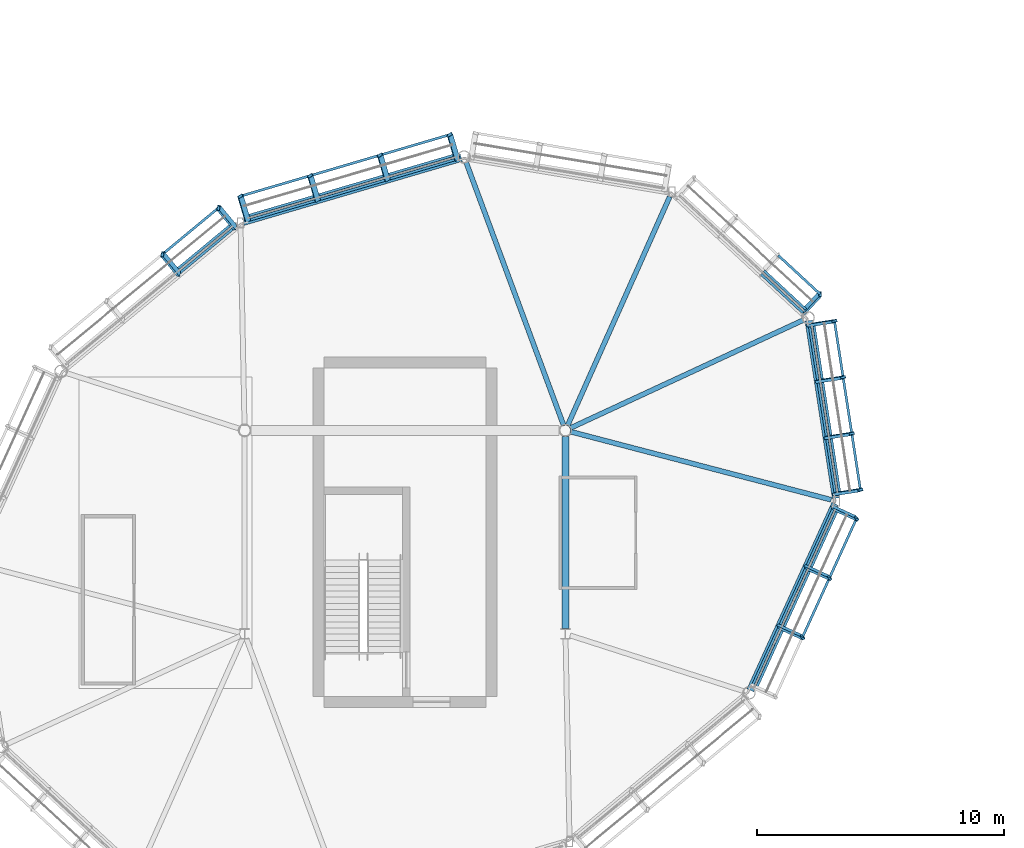
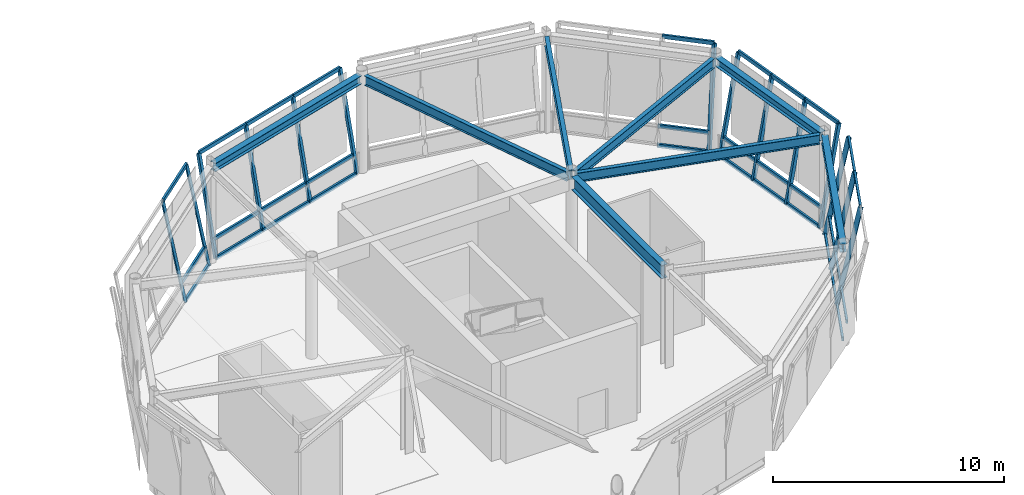
# One storey, part 55 of 90: 46 members, 8 beams, 5 elements without a shape of their own.
"""IFC4 building model written with IfcOpenShell, lengths in metres."""

from ifc_helpers import new_model, si_unit, direction, frame, origin, origin_2d, place, context, subcontext, project, spatial, hollow_rectangle, i_section, extrude, material, material_profile, profile_set, type_object, element, aggregate, save


model = new_model("IFC4")

# Units and contexts
model_context = context("Model", 3, precision=1e-05, world=origin(), true_north=direction((0.0, 1.0)))
body_context = subcontext(model_context, "Body", "Model", "MODEL_VIEW")
ifc_project = project(units=[si_unit("LENGTHUNIT", "METRE"), si_unit("AREAUNIT", "SQUARE_METRE"), si_unit("VOLUMEUNIT", "CUBIC_METRE"), si_unit("PLANEANGLEUNIT", "RADIAN"), si_unit("MASSUNIT", "GRAM", prefix="KILO")], contexts=[model_context])

# Site, building, storey
site_placement = place(None, origin())
site = spatial("IfcSite", under=ifc_project, at=site_placement, CompositionType="ELEMENT")
building_placement = place(site_placement, origin())
building = spatial("IfcBuilding", under=site, at=building_placement, Name="Linyun Crest Stadium", CompositionType="ELEMENT")
storey_placement = place(building_placement, frame((0.0, 0.0, 21.0)))
storey = spatial("IfcBuildingStorey", under=building, at=storey_placement, Name="L05", CompositionType="ELEMENT", Elevation=21.0)

# Beams
ifc_material_1 = material(Name="Steel Q355C", Category="steel")
ifc_material_profile_1 = material_profile(ifc_material_1, i_section(OverallWidth=0.300048828125, OverallDepth=0.43994140625, WebThickness=0.010986328125, FlangeThickness=0.01806640625, at=origin_2d()), Name="HM 440x300")
ifc_profile_set_1 = profile_set([ifc_material_profile_1], Name="Steel Q355C")
beam_type_1 = type_object("IfcBeamType", Name="B07", PredefinedType="BEAM", material=ifc_profile_set_1)
beam_1_placement = place(storey_placement, frame((75.779052734375, 99.7919921875, 4.929931640625), z_axis=(-0.959427571735, -0.281955199623, 0.0), x_axis=(0.281955199623, -0.959427571735, 0.0)))
element("IfcBeam", 1, at=beam_1_placement, inside=storey, type_object=beam_type_1, Name="Pod ring girder B07 L05 149", PredefinedType="BEAM", context=body_context, shape_type="SweptSolid", body=[
    extrude(i_section(OverallWidth=0.300048828125, OverallDepth=0.43994140625, WebThickness=0.010986328125, FlangeThickness=0.01806640625, at=origin_2d()), origin(), (0.0, 0.0, 1.0), 9.203369140625),
])
beam_2_placement = place(storey_placement, frame((87.490966796875, 78.218994140625, 4.929931640625), z_axis=(0.41441702614, 0.910087099373, 0.0), x_axis=(-0.910087099373, 0.41441702614, 0.0)))
element("IfcBeam", 2, at=beam_2_placement, inside=storey, type_object=beam_type_1, Name="Pod ring girder B07 L05 165", PredefinedType="BEAM", context=body_context, shape_type="SweptSolid", body=[
    extrude(i_section(OverallWidth=0.300048828125, OverallDepth=0.43994140625, WebThickness=0.010986328125, FlangeThickness=0.01806640625, at=origin_2d()), origin(), (0.0, 0.0, 1.0), 8.2958984375),
])
beam_3_placement = place(storey_placement, frame((90.9609375, 85.9970703125, 4.929931640625), z_axis=(-0.152213453027, 0.988347643655, 0.0), x_axis=(-0.988347643655, -0.152213453027, 0.0)))
element("IfcBeam", 3, at=beam_3_placement, inside=storey, type_object=beam_type_1, Name="Pod ring girder B07 L05 167", PredefinedType="BEAM", context=body_context, shape_type="SweptSolid", body=[
    extrude(i_section(OverallWidth=0.300048828125, OverallDepth=0.43994140625, WebThickness=0.010986328125, FlangeThickness=0.01806640625, at=origin_2d()), origin(), (0.0, 0.0, 1.0), 7.278564453125),
])
ifc_material_2 = material(Name="Steel Q355C", Category="steel")
ifc_material_profile_2 = material_profile(ifc_material_2, i_section(OverallWidth=0.199951171875, OverallDepth=0.5, WebThickness=0.010009765625, FlangeThickness=0.01611328125, at=origin_2d()), Name="HN 500x200")
ifc_profile_set_2 = profile_set([ifc_material_profile_2], Name="Steel Q355C")
beam_type_2 = type_object("IfcBeamType", Name="B10", PredefinedType="BEAM", material=ifc_profile_set_2)
beam_4_placement = place(storey_placement, frame((80.180908203125, 88.833984375, 4.89990234375), z_axis=(0.907241490816, 0.420610125106, 0.0), x_axis=(-0.420610125106, 0.907241490816, 0.0)))
element("IfcBeam", 4, at=beam_4_placement, inside=storey, type_object=beam_type_2, Name="Pod radial tie girder B10 L05 146", PredefinedType="BEAM", context=body_context, shape_type="SweptSolid", body=[
    extrude(i_section(OverallWidth=0.199951171875, OverallDepth=0.5, WebThickness=0.010009765625, FlangeThickness=0.01611328125, at=origin_2d()), origin(), (0.0, 0.0, 1.0), 10.420654296875),
])
beam_5_placement = place(storey_placement, frame((80.0810546875, 88.93310546875, 4.89990234375), z_axis=(0.407495258441, 0.913207322763, 0.0), x_axis=(-0.913207322763, 0.407495258441, 0.0)))
element("IfcBeam", 5, at=beam_5_placement, inside=storey, type_object=beam_type_2, Name="Pod radial tie girder B10 L05 148", PredefinedType="BEAM", context=body_context, shape_type="SweptSolid", body=[
    extrude(i_section(OverallWidth=0.199951171875, OverallDepth=0.5, WebThickness=0.010009765625, FlangeThickness=0.01611328125, at=origin_2d()), origin(), (0.0, 0.0, 1.0), 10.1640625),
])
beam_6_placement = place(storey_placement, frame((79.929931640625, 88.93798828125, 4.89990234375), z_axis=(-0.347593524127, 0.937645317796, 0.0), x_axis=(-0.937645317796, -0.347593524127, 0.0)))
element("IfcBeam", 6, at=beam_6_placement, inside=storey, type_object=beam_type_2, Name="Pod radial tie girder B10 L05 150", PredefinedType="BEAM", context=body_context, shape_type="SweptSolid", body=[
    extrude(i_section(OverallWidth=0.199951171875, OverallDepth=0.5, WebThickness=0.010009765625, FlangeThickness=0.01611328125, at=origin_2d()), origin(), (0.0, 0.0, 1.0), 11.392578125),
])
beam_7_placement = place(storey_placement, frame((80.193115234375, 88.698974609375, 4.89990234375), z_axis=(0.967466930693, -0.252997505948, 0.0), x_axis=(0.252997505948, 0.967466930693, 0.0)))
element("IfcBeam", 7, at=beam_7_placement, inside=storey, type_object=beam_type_2, Name="Pod radial tie girder B10 L05 168", PredefinedType="BEAM", context=body_context, shape_type="SweptSolid", body=[
    extrude(i_section(OverallWidth=0.199951171875, OverallDepth=0.5, WebThickness=0.010009765625, FlangeThickness=0.01611328125, at=origin_2d()), origin(), (0.0, 0.0, 1.0), 10.928466796875),
])
ifc_material_3 = material(Name="Steel Q355C", Category="steel")
ifc_material_profile_3 = material_profile(ifc_material_3, i_section(OverallWidth=0.300048828125, OverallDepth=0.699951171875, WebThickness=0.012939453125, FlangeThickness=0.02392578125, at=origin_2d()), Name="HN 700x300")
ifc_profile_set_3 = profile_set([ifc_material_profile_3], Name="Steel Q355C")
beam_type_3 = type_object("IfcBeamType", Name="B12", PredefinedType="BEAM", material=ifc_profile_set_3)
beam_8_placement = place(storey_placement, frame((80.0, 80.714111328125, 4.800048828125), z_axis=(0.0, 1.0, 0.0), x_axis=(-1.0, 0.0, 0.0)))
element("IfcBeam", 8, at=beam_8_placement, inside=storey, type_object=beam_type_3, Name="Frame beam B12 L05 982", PredefinedType="BEAM", context=body_context, shape_type="SweptSolid", body=[
    extrude(i_section(OverallWidth=0.300048828125, OverallDepth=0.699951171875, WebThickness=0.012939453125, FlangeThickness=0.02392578125, at=origin_2d()), origin(), (0.0, 0.0, 1.0), 7.781982421875),
])

# Curtain wall, member
ifc_material_4 = material(Name="Verdigris steel and low-E curtain wall assembly", Category="steel")
curtain_wall_type = type_object("IfcCurtainWallType", Name="MCW04", PredefinedType="NOTDEFINED", material=ifc_material_4)
curtain_wall_1_placement = place(storey_placement, origin())
curtain_wall_1 = element("IfcCurtainWall", 9, at=curtain_wall_1_placement, inside=storey, type_object=curtain_wall_type, Name="CWR-049", PredefinedType="NOTDEFINED")
ifc_material_5 = material(Name="Verdigris painted steel Q355C pod mullion", Category="steel")
ifc_material_profile_4 = material_profile(ifc_material_5, hollow_rectangle(XDim=0.1201171875, YDim=0.219970703125, WallThickness=0.008056640625, at=origin_2d()), Name="RHS 220x120x8")
ifc_profile_set_4 = profile_set([ifc_material_profile_4], Name="Verdigris painted steel Q355C pod mullion")
member_type_1 = type_object("IfcMemberType", Name="ML04", PredefinedType="MULLION", material=ifc_profile_set_4)
member_1_placement = place(storey_placement, frame((89.614990234375, 93.513916015625, 0.0), z_axis=(0.135361474609, 0.146424899359, 0.979916843431), x_axis=(0.986908625049, 0.067601716687, -0.146428732514)))
member_1 = element("IfcMember", 10, at=member_1_placement, type_object=member_type_1, Name="CWR-049 mullion 1", PredefinedType="MULLION", context=body_context, shape_type="SweptSolid", body=[
    extrude(hollow_rectangle(XDim=0.1201171875, YDim=0.219970703125, WallThickness=0.008056640625, at=origin_2d()), origin(), (0.0, 0.0, 1.0), 5.163818359375),
])

# Curtain wall, members
curtain_wall_2_placement = place(storey_placement, origin())
curtain_wall_2 = element("IfcCurtainWall", 11, at=curtain_wall_2_placement, inside=storey, type_object=curtain_wall_type, Name="CWR-051", PredefinedType="NOTDEFINED")
member_2_placement = place(storey_placement, frame((75.60595703125, 99.740966796875, 0.0), z_axis=(-0.056168070102, 0.191340218605, 0.979915337488), x_axis=(-0.535394875779, 0.822647487716, -0.191320249697)))
member_2 = element("IfcMember", 12, at=member_2_placement, type_object=member_type_1, Name="CWR-051 mullion 1", PredefinedType="MULLION", context=body_context, shape_type="SweptSolid", body=[
    extrude(hollow_rectangle(XDim=0.1201171875, YDim=0.219970703125, WallThickness=0.008056640625, at=origin_2d()), origin(), (0.0, 0.0, 1.0), 5.163818359375),
])
member_3_placement = place(storey_placement, frame((72.778076171875, 98.909912109375, 0.0), z_axis=(-0.056168070102, 0.191340218605, 0.979915337488), x_axis=(-0.535394875779, 0.822647487716, -0.191320249697)))
member_3 = element("IfcMember", 13, at=member_3_placement, type_object=member_type_1, Name="CWR-051 mullion 2", PredefinedType="MULLION", context=body_context, shape_type="SweptSolid", body=[
    extrude(hollow_rectangle(XDim=0.1201171875, YDim=0.219970703125, WallThickness=0.008056640625, at=origin_2d()), origin(), (0.0, 0.0, 1.0), 5.163818359375),
])
member_4_placement = place(storey_placement, frame((69.949951171875, 98.0791015625, 0.0), z_axis=(-0.056168578169, 0.191294669421, 0.979924201292), x_axis=(-0.535452219958, 0.822619883242, -0.191278456282)))
member_4 = element("IfcMember", 14, at=member_4_placement, type_object=member_type_1, Name="CWR-051 mullion 3", PredefinedType="MULLION", context=body_context, shape_type="SweptSolid", body=[
    extrude(hollow_rectangle(XDim=0.1201171875, YDim=0.219970703125, WallThickness=0.008056640625, at=origin_2d()), origin(), (0.0, 0.0, 1.0), 5.163818359375),
])
member_5_placement = place(storey_placement, frame((67.1220703125, 97.248046875, 0.0), z_axis=(-0.056168070102, 0.191340218605, 0.979915337488), x_axis=(-0.535394875779, 0.822647487716, -0.191320249697)))
member_5 = element("IfcMember", 15, at=member_5_placement, type_object=member_type_1, Name="CWR-051 mullion 4", PredefinedType="MULLION", context=body_context, shape_type="SweptSolid", body=[
    extrude(hollow_rectangle(XDim=0.1201171875, YDim=0.219970703125, WallThickness=0.008056640625, at=origin_2d()), origin(), (0.0, 0.0, 1.0), 5.163818359375),
])

curtain_wall_3_placement = place(storey_placement, origin())
curtain_wall_3 = element("IfcCurtainWall", 16, at=curtain_wall_3_placement, inside=storey, type_object=curtain_wall_type, Name="CWR-052", PredefinedType="NOTDEFINED")
member_6_placement = place(storey_placement, frame((66.60302734375, 96.971923828125, 0.0), z_axis=(-0.127228985463, 0.153563636115, 0.979913769125), x_axis=(-0.972618583127, 0.174402528684, -0.153612661409)))
member_6 = element("IfcMember", 17, at=member_6_placement, type_object=member_type_1, Name="CWR-052 mullion 1", PredefinedType="MULLION", context=body_context, shape_type="SweptSolid", body=[
    extrude(hollow_rectangle(XDim=0.1201171875, YDim=0.219970703125, WallThickness=0.008056640625, at=origin_2d()), origin(), (0.0, 0.0, 1.0), 5.163818359375),
])
member_7_placement = place(storey_placement, frame((64.33203125, 95.092041015625, 0.0), z_axis=(-0.127228985463, 0.153563636115, 0.979913769125), x_axis=(-0.972618583127, 0.174402528684, -0.153612661409)))
member_7 = element("IfcMember", 18, at=member_7_placement, type_object=member_type_1, Name="CWR-052 mullion 2", PredefinedType="MULLION", context=body_context, shape_type="SweptSolid", body=[
    extrude(hollow_rectangle(XDim=0.1201171875, YDim=0.219970703125, WallThickness=0.008056640625, at=origin_2d()), origin(), (0.0, 0.0, 1.0), 5.163818359375),
])

curtain_wall_4_placement = place(storey_placement, origin())
curtain_wall_4 = element("IfcCurtainWall", 19, at=curtain_wall_4_placement, inside=storey, type_object=curtain_wall_type, Name="CWR-059", PredefinedType="NOTDEFINED")
member_8_placement = place(storey_placement, frame((88.662109375, 80.7900390625, 0.0), z_axis=(0.181461695905, -0.082504080082, 0.979930982105), x_axis=(-0.746444035953, -0.66029784239, 0.082632079273)))
member_8 = element("IfcMember", 20, at=member_8_placement, type_object=member_type_1, Name="CWR-059 mullion 2", PredefinedType="MULLION", context=body_context, shape_type="SweptSolid", body=[
    extrude(hollow_rectangle(XDim=0.1201171875, YDim=0.219970703125, WallThickness=0.008056640625, at=origin_2d()), origin(), (0.0, 0.0, 1.0), 5.16357421875),
])
member_9_placement = place(storey_placement, frame((89.758056640625, 83.197998046875, 0.0), z_axis=(0.181458861331, -0.08269190945, 0.979915674819), x_axis=(-0.747008040281, -0.659655798184, 0.082663266794)))
member_9 = element("IfcMember", 21, at=member_9_placement, type_object=member_type_1, Name="CWR-059 mullion 3", PredefinedType="MULLION", context=body_context, shape_type="SweptSolid", body=[
    extrude(hollow_rectangle(XDim=0.1201171875, YDim=0.219970703125, WallThickness=0.008056640625, at=origin_2d()), origin(), (0.0, 0.0, 1.0), 5.163818359375),
])
member_10_placement = place(storey_placement, frame((90.85498046875, 85.60498046875, 0.0), z_axis=(0.181458861331, -0.08269190945, 0.979915674819), x_axis=(-0.747008040281, -0.659655798184, 0.082663266794)))
member_10 = element("IfcMember", 22, at=member_10_placement, type_object=member_type_1, Name="CWR-059 mullion 4", PredefinedType="MULLION", context=body_context, shape_type="SweptSolid", body=[
    extrude(hollow_rectangle(XDim=0.1201171875, YDim=0.219970703125, WallThickness=0.008056640625, at=origin_2d()), origin(), (0.0, 0.0, 1.0), 5.163818359375),
])

curtain_wall_5_placement = place(storey_placement, origin())
curtain_wall_5 = element("IfcCurtainWall", 23, at=curtain_wall_5_placement, inside=storey, type_object=curtain_wall_type, Name="CWR-060", PredefinedType="NOTDEFINED")
member_11_placement = place(storey_placement, frame((90.93310546875, 86.175048828125, 0.0), z_axis=(0.196925558343, 0.030401712849, 0.97994696812), x_axis=(0.298126026527, -0.954045105123, -0.030311873873)))
member_11 = element("IfcMember", 24, at=member_11_placement, type_object=member_type_1, Name="CWR-060 mullion 1", PredefinedType="MULLION", context=body_context, shape_type="SweptSolid", body=[
    extrude(hollow_rectangle(XDim=0.1201171875, YDim=0.219970703125, WallThickness=0.008056640625, at=origin_2d()), origin(), (0.0, 0.0, 1.0), 5.16357421875),
])
member_12_placement = place(storey_placement, frame((90.58203125, 88.4541015625, 0.0), z_axis=(0.197152779984, 0.03040029677, 0.979901323247), x_axis=(0.297946662121, -0.954100050656, -0.030346002532)))
member_12 = element("IfcMember", 25, at=member_12_placement, type_object=member_type_1, Name="CWR-060 mullion 2", PredefinedType="MULLION", context=body_context, shape_type="SweptSolid", body=[
    extrude(hollow_rectangle(XDim=0.1201171875, YDim=0.219970703125, WallThickness=0.008056640625, at=origin_2d()), origin(), (0.0, 0.0, 1.0), 5.163818359375),
])
member_13_placement = place(storey_placement, frame((90.23193359375, 90.73388671875, 0.0), z_axis=(0.196972134201, 0.030212480498, 0.979943459782), x_axis=(0.297195980981, -0.95433515081, -0.030314498475)))
member_13 = element("IfcMember", 26, at=member_13_placement, type_object=member_type_1, Name="CWR-060 mullion 3", PredefinedType="MULLION", context=body_context, shape_type="SweptSolid", body=[
    extrude(hollow_rectangle(XDim=0.1201171875, YDim=0.219970703125, WallThickness=0.008056640625, at=origin_2d()), origin(), (0.0, 0.0, 1.0), 5.16357421875),
])
member_14_placement = place(storey_placement, frame((89.881103515625, 93.012939453125, 0.0), z_axis=(0.196925558343, 0.030401712849, 0.97994696812), x_axis=(0.298126026527, -0.954045105123, -0.030311873873)))
member_14 = element("IfcMember", 27, at=member_14_placement, type_object=member_type_1, Name="CWR-060 mullion 4", PredefinedType="MULLION", context=body_context, shape_type="SweptSolid", body=[
    extrude(hollow_rectangle(XDim=0.1201171875, YDim=0.219970703125, WallThickness=0.008056640625, at=origin_2d()), origin(), (0.0, 0.0, 1.0), 5.16357421875),
])

# Member
ifc_material_6 = material(Name="Verdigris painted steel Q355C transom", Category="steel")
ifc_material_profile_5 = material_profile(ifc_material_6, hollow_rectangle(XDim=0.10009765625, YDim=0.199951171875, WallThickness=0.008056640625, at=origin_2d()), Name="RHS 200x100x8")
ifc_profile_set_5 = profile_set([ifc_material_profile_5], Name="Verdigris painted steel Q355C transom")
member_type_2 = type_object("IfcMemberType", Name="TR03", PredefinedType="USERDEFINED", material=ifc_profile_set_5)
member_15_placement = place(storey_placement, frame((89.614990234375, 93.513916015625, 0.0), z_axis=(-0.734287991916, 0.678838084471, 0.0), x_axis=(-0.678838084471, -0.734287991916, 0.0)))
member_15 = element("IfcMember", 28, at=member_15_placement, type_object=member_type_2, Name="CWR-049 transom 1.1", ObjectType="TRANSOM", PredefinedType="USERDEFINED", context=body_context, shape_type="SweptSolid", body=[
    extrude(hollow_rectangle(XDim=0.10009765625, YDim=0.199951171875, WallThickness=0.008056640625, at=origin_2d()), origin(), (0.0, 0.0, 1.0), 2.30712890625),
])

member_16_placement = place(storey_placement, frame((89.739013671875, 93.64794921875, 0.89990234375), z_axis=(-0.734287991916, 0.678838084471, 0.0), x_axis=(-0.678838084471, -0.734287991916, 0.0)))
member_16 = element("IfcMember", 29, at=member_16_placement, type_object=member_type_2, Name="CWR-049 transom 1.2", ObjectType="TRANSOM", PredefinedType="USERDEFINED", context=body_context, shape_type="SweptSolid", body=[
    extrude(hollow_rectangle(XDim=0.10009765625, YDim=0.199951171875, WallThickness=0.008056640625, at=origin_2d()), origin(), (0.0, 0.0, 1.0), 2.30712890625),
])

member_17_placement = place(storey_placement, frame((90.31396484375, 94.27001953125, 5.06005859375), z_axis=(-0.73429197574, 0.678833775208, 0.0), x_axis=(-0.678833775208, -0.73429197574, 0.0)))
member_17 = element("IfcMember", 30, at=member_17_placement, type_object=member_type_2, Name="CWR-049 transom 1.3", ObjectType="TRANSOM", PredefinedType="USERDEFINED", context=body_context, shape_type="SweptSolid", body=[
    extrude(hollow_rectangle(XDim=0.10009765625, YDim=0.199951171875, WallThickness=0.008056640625, at=origin_2d()), origin(), (0.0, 0.0, 1.0), 2.306884765625),
])

aggregate(curtain_wall_1, [member_1, member_15, member_16, member_17])

member_18_placement = place(storey_placement, frame((75.60595703125, 99.740966796875, 0.0), z_axis=(-0.959427469513, -0.28195554746, 0.0), x_axis=(0.28195554746, -0.959427469513, 0.0)))
member_18 = element("IfcMember", 31, at=member_18_placement, type_object=member_type_2, Name="CWR-051 transom 1.1", ObjectType="TRANSOM", PredefinedType="USERDEFINED", context=body_context, shape_type="SweptSolid", body=[
    extrude(hollow_rectangle(XDim=0.10009765625, YDim=0.199951171875, WallThickness=0.008056640625, at=origin_2d()), origin(), (0.0, 0.0, 1.0), 2.947509765625),
])

member_19_placement = place(storey_placement, frame((75.553955078125, 99.9169921875, 0.89990234375), z_axis=(-0.959427469513, -0.28195554746, 0.0), x_axis=(0.28195554746, -0.959427469513, 0.0)))
member_19 = element("IfcMember", 32, at=member_19_placement, type_object=member_type_2, Name="CWR-051 transom 1.2", ObjectType="TRANSOM", PredefinedType="USERDEFINED", context=body_context, shape_type="SweptSolid", body=[
    extrude(hollow_rectangle(XDim=0.10009765625, YDim=0.199951171875, WallThickness=0.008056640625, at=origin_2d()), origin(), (0.0, 0.0, 1.0), 2.947509765625),
])

member_20_placement = place(storey_placement, frame((75.31591796875, 100.72900390625, 5.06005859375), z_axis=(-0.959427469513, -0.28195554746, 0.0), x_axis=(0.28195554746, -0.959427469513, 0.0)))
member_20 = element("IfcMember", 33, at=member_20_placement, type_object=member_type_2, Name="CWR-051 transom 1.3", ObjectType="TRANSOM", PredefinedType="USERDEFINED", context=body_context, shape_type="SweptSolid", body=[
    extrude(hollow_rectangle(XDim=0.10009765625, YDim=0.199951171875, WallThickness=0.008056640625, at=origin_2d()), origin(), (0.0, 0.0, 1.0), 2.947509765625),
])

member_21_placement = place(storey_placement, frame((72.778076171875, 98.909912109375, 0.0), z_axis=(-0.959456454772, -0.281856898791, 0.0), x_axis=(0.281856898791, -0.959456454772, 0.0)))
member_21 = element("IfcMember", 34, at=member_21_placement, type_object=member_type_2, Name="CWR-051 transom 2.1", ObjectType="TRANSOM", PredefinedType="USERDEFINED", context=body_context, shape_type="SweptSolid", body=[
    extrude(hollow_rectangle(XDim=0.10009765625, YDim=0.199951171875, WallThickness=0.008056640625, at=origin_2d()), origin(), (0.0, 0.0, 1.0), 2.94775390625),
])

member_22_placement = place(storey_placement, frame((72.72607421875, 99.0859375, 0.89990234375), z_axis=(-0.959434053677, -0.281933142154, 0.0), x_axis=(0.281933142154, -0.959434053677, 0.0)))
member_22 = element("IfcMember", 35, at=member_22_placement, type_object=member_type_2, Name="CWR-051 transom 2.2", ObjectType="TRANSOM", PredefinedType="USERDEFINED", context=body_context, shape_type="SweptSolid", body=[
    extrude(hollow_rectangle(XDim=0.10009765625, YDim=0.199951171875, WallThickness=0.008056640625, at=origin_2d()), origin(), (0.0, 0.0, 1.0), 2.94775390625),
])

member_23_placement = place(storey_placement, frame((72.488037109375, 99.89794921875, 5.06005859375), z_axis=(-0.959434053677, -0.281933142154, 0.0), x_axis=(0.281933142154, -0.959434053677, 0.0)))
member_23 = element("IfcMember", 36, at=member_23_placement, type_object=member_type_2, Name="CWR-051 transom 2.3", ObjectType="TRANSOM", PredefinedType="USERDEFINED", context=body_context, shape_type="SweptSolid", body=[
    extrude(hollow_rectangle(XDim=0.10009765625, YDim=0.199951171875, WallThickness=0.008056640625, at=origin_2d()), origin(), (0.0, 0.0, 1.0), 2.94775390625),
])

member_24_placement = place(storey_placement, frame((69.949951171875, 98.0791015625, 0.0), z_axis=(-0.959427469513, -0.28195554746, 0.0), x_axis=(0.28195554746, -0.959427469513, 0.0)))
member_24 = element("IfcMember", 37, at=member_24_placement, type_object=member_type_2, Name="CWR-051 transom 3.1", ObjectType="TRANSOM", PredefinedType="USERDEFINED", context=body_context, shape_type="SweptSolid", body=[
    extrude(hollow_rectangle(XDim=0.10009765625, YDim=0.199951171875, WallThickness=0.008056640625, at=origin_2d()), origin(), (0.0, 0.0, 1.0), 2.947509765625),
])

member_25_placement = place(storey_placement, frame((69.89794921875, 98.2548828125, 0.89990234375), z_axis=(-0.959449874016, -0.281879299083, 0.0), x_axis=(0.281879299083, -0.959449874016, 0.0)))
member_25 = element("IfcMember", 38, at=member_25_placement, type_object=member_type_2, Name="CWR-051 transom 3.2", ObjectType="TRANSOM", PredefinedType="USERDEFINED", context=body_context, shape_type="SweptSolid", body=[
    extrude(hollow_rectangle(XDim=0.10009765625, YDim=0.199951171875, WallThickness=0.008056640625, at=origin_2d()), origin(), (0.0, 0.0, 1.0), 2.947509765625),
])

member_26_placement = place(storey_placement, frame((69.659912109375, 99.06689453125, 5.06005859375), z_axis=(-0.959449874016, -0.281879299083, 0.0), x_axis=(0.281879299083, -0.959449874016, 0.0)))
member_26 = element("IfcMember", 39, at=member_26_placement, type_object=member_type_2, Name="CWR-051 transom 3.3", ObjectType="TRANSOM", PredefinedType="USERDEFINED", context=body_context, shape_type="SweptSolid", body=[
    extrude(hollow_rectangle(XDim=0.10009765625, YDim=0.199951171875, WallThickness=0.008056640625, at=origin_2d()), origin(), (0.0, 0.0, 1.0), 2.947509765625),
])

aggregate(curtain_wall_2, [member_2, member_3, member_4, member_5, member_18, member_19, member_20, member_21, member_22, member_23, member_24, member_25, member_26])

member_27_placement = place(storey_placement, frame((66.60302734375, 96.971923828125, 0.0), z_axis=(-0.770321380351, -0.63765584054, 0.0), x_axis=(0.63765584054, -0.770321380351, 0.0)))
member_27 = element("IfcMember", 40, at=member_27_placement, type_object=member_type_2, Name="CWR-052 transom 1.1", ObjectType="TRANSOM", PredefinedType="USERDEFINED", context=body_context, shape_type="SweptSolid", body=[
    extrude(hollow_rectangle(XDim=0.10009765625, YDim=0.199951171875, WallThickness=0.008056640625, at=origin_2d()), origin(), (0.0, 0.0, 1.0), 2.947998046875),
])

member_28_placement = place(storey_placement, frame((66.486083984375, 97.113037109375, 0.89990234375), z_axis=(-0.770280703464, -0.637704977142, 0.0), x_axis=(0.637704977142, -0.770280703464, 0.0)))
member_28 = element("IfcMember", 41, at=member_28_placement, type_object=member_type_2, Name="CWR-052 transom 1.2", ObjectType="TRANSOM", PredefinedType="USERDEFINED", context=body_context, shape_type="SweptSolid", body=[
    extrude(hollow_rectangle(XDim=0.10009765625, YDim=0.199951171875, WallThickness=0.008056640625, at=origin_2d()), origin(), (0.0, 0.0, 1.0), 2.9482421875),
])

member_29_placement = place(storey_placement, frame((65.946044921875, 97.764892578125, 5.06005859375), z_axis=(-0.770321380351, -0.63765584054, 0.0), x_axis=(0.63765584054, -0.770321380351, 0.0)))
member_29 = element("IfcMember", 42, at=member_29_placement, type_object=member_type_2, Name="CWR-052 transom 1.3", ObjectType="TRANSOM", PredefinedType="USERDEFINED", context=body_context, shape_type="SweptSolid", body=[
    extrude(hollow_rectangle(XDim=0.10009765625, YDim=0.199951171875, WallThickness=0.008056640625, at=origin_2d()), origin(), (0.0, 0.0, 1.0), 2.947998046875),
])

aggregate(curtain_wall_3, [member_6, member_7, member_27, member_28, member_29])

member_30_placement = place(storey_placement, frame((87.56494140625, 78.383056640625, 0.0), z_axis=(0.414769269545, 0.909926619591, 0.0), x_axis=(-0.909926619591, 0.414769269545, 0.0)))
member_30 = element("IfcMember", 43, at=member_30_placement, type_object=member_type_2, Name="CWR-059 transom 1.1", ObjectType="TRANSOM", PredefinedType="USERDEFINED", context=body_context, shape_type="SweptSolid", body=[
    extrude(hollow_rectangle(XDim=0.10009765625, YDim=0.199951171875, WallThickness=0.008056640625, at=origin_2d()), origin(), (0.0, 0.0, 1.0), 2.645263671875),
])

member_31_placement = place(storey_placement, frame((87.73193359375, 78.306884765625, 0.89990234375), z_axis=(0.414352266897, 0.910116585343, 0.0), x_axis=(-0.910116585343, 0.414352266897, 0.0)))
member_31 = element("IfcMember", 44, at=member_31_placement, type_object=member_type_2, Name="CWR-059 transom 1.2", ObjectType="TRANSOM", PredefinedType="USERDEFINED", context=body_context, shape_type="SweptSolid", body=[
    extrude(hollow_rectangle(XDim=0.10009765625, YDim=0.199951171875, WallThickness=0.008056640625, at=origin_2d()), origin(), (0.0, 0.0, 1.0), 2.64501953125),
])

member_32_placement = place(storey_placement, frame((88.662109375, 80.7900390625, 0.0), z_axis=(0.414247864609, 0.910164109744, 0.0), x_axis=(-0.910164109744, 0.414247864609, 0.0)))
member_32 = element("IfcMember", 45, at=member_32_placement, type_object=member_type_2, Name="CWR-059 transom 2.1", ObjectType="TRANSOM", PredefinedType="USERDEFINED", context=body_context, shape_type="SweptSolid", body=[
    extrude(hollow_rectangle(XDim=0.10009765625, YDim=0.199951171875, WallThickness=0.008056640625, at=origin_2d()), origin(), (0.0, 0.0, 1.0), 2.645751953125),
])

member_33_placement = place(storey_placement, frame((88.827880859375, 80.714111328125, 0.89990234375), z_axis=(0.414629980899, 0.909990098265, 0.0), x_axis=(-0.909990098265, 0.414629980899, 0.0)))
member_33 = element("IfcMember", 46, at=member_33_placement, type_object=member_type_2, Name="CWR-059 transom 2.2", ObjectType="TRANSOM", PredefinedType="USERDEFINED", context=body_context, shape_type="SweptSolid", body=[
    extrude(hollow_rectangle(XDim=0.10009765625, YDim=0.199951171875, WallThickness=0.008056640625, at=origin_2d()), origin(), (0.0, 0.0, 1.0), 2.646240234375),
])

member_34_placement = place(storey_placement, frame((89.59912109375, 80.364013671875, 5.06005859375), z_axis=(0.414387078143, 0.91010073589, 0.0), x_axis=(-0.91010073589, 0.414387078143, 0.0)))
member_34 = element("IfcMember", 47, at=member_34_placement, type_object=member_type_2, Name="CWR-059 transom 2.3", ObjectType="TRANSOM", PredefinedType="USERDEFINED", context=body_context, shape_type="SweptSolid", body=[
    extrude(hollow_rectangle(XDim=0.10009765625, YDim=0.199951171875, WallThickness=0.008056640625, at=origin_2d()), origin(), (0.0, 0.0, 1.0), 2.644775390625),
])

member_35_placement = place(storey_placement, frame((89.758056640625, 83.197998046875, 0.0), z_axis=(0.414692848815, 0.90996145036, 0.0), x_axis=(-0.90996145036, 0.414692848815, 0.0)))
member_35 = element("IfcMember", 48, at=member_35_placement, type_object=member_type_2, Name="CWR-059 transom 3.1", ObjectType="TRANSOM", PredefinedType="USERDEFINED", context=body_context, shape_type="SweptSolid", body=[
    extrude(hollow_rectangle(XDim=0.10009765625, YDim=0.199951171875, WallThickness=0.008056640625, at=origin_2d()), origin(), (0.0, 0.0, 1.0), 2.645263671875),
])

member_36_placement = place(storey_placement, frame((89.925048828125, 83.1220703125, 0.89990234375), z_axis=(0.414692848815, 0.90996145036, 0.0), x_axis=(-0.90996145036, 0.414692848815, 0.0)))
member_36 = element("IfcMember", 49, at=member_36_placement, type_object=member_type_2, Name="CWR-059 transom 3.2", ObjectType="TRANSOM", PredefinedType="USERDEFINED", context=body_context, shape_type="SweptSolid", body=[
    extrude(hollow_rectangle(XDim=0.10009765625, YDim=0.199951171875, WallThickness=0.008056640625, at=origin_2d()), origin(), (0.0, 0.0, 1.0), 2.645263671875),
])

member_37_placement = place(storey_placement, frame((90.695068359375, 82.77099609375, 5.06005859375), z_axis=(0.414692848815, 0.90996145036, 0.0), x_axis=(-0.90996145036, 0.414692848815, 0.0)))
member_37 = element("IfcMember", 50, at=member_37_placement, type_object=member_type_2, Name="CWR-059 transom 3.3", ObjectType="TRANSOM", PredefinedType="USERDEFINED", context=body_context, shape_type="SweptSolid", body=[
    extrude(hollow_rectangle(XDim=0.10009765625, YDim=0.199951171875, WallThickness=0.008056640625, at=origin_2d()), origin(), (0.0, 0.0, 1.0), 2.645263671875),
])

aggregate(curtain_wall_4, [member_8, member_9, member_10, member_30, member_31, member_32, member_33, member_34, member_35, member_36, member_37])

member_38_placement = place(storey_placement, frame((90.93310546875, 86.175048828125, 0.0), z_axis=(-0.152248123454, 0.988342303509, 0.0), x_axis=(-0.988342303509, -0.152248123454, 0.0)))
member_38 = element("IfcMember", 51, at=member_38_placement, type_object=member_type_2, Name="CWR-060 transom 1.1", ObjectType="TRANSOM", PredefinedType="USERDEFINED", context=body_context, shape_type="SweptSolid", body=[
    extrude(hollow_rectangle(XDim=0.10009765625, YDim=0.199951171875, WallThickness=0.008056640625, at=origin_2d()), origin(), (0.0, 0.0, 1.0), 2.305908203125),
])

member_39_placement = place(storey_placement, frame((91.114013671875, 86.202880859375, 0.89990234375), z_axis=(-0.152248123454, 0.988342303509, 0.0), x_axis=(-0.988342303509, -0.152248123454, 0.0)))
member_39 = element("IfcMember", 52, at=member_39_placement, type_object=member_type_2, Name="CWR-060 transom 1.2", ObjectType="TRANSOM", PredefinedType="USERDEFINED", context=body_context, shape_type="SweptSolid", body=[
    extrude(hollow_rectangle(XDim=0.10009765625, YDim=0.199951171875, WallThickness=0.008056640625, at=origin_2d()), origin(), (0.0, 0.0, 1.0), 2.305908203125),
])

member_40_placement = place(storey_placement, frame((91.949951171875, 86.33203125, 5.06005859375), z_axis=(-0.151730957076, 0.988421831338, 0.0), x_axis=(-0.988421831338, -0.151730957076, 0.0)))
member_40 = element("IfcMember", 53, at=member_40_placement, type_object=member_type_2, Name="CWR-060 transom 1.3", ObjectType="TRANSOM", PredefinedType="USERDEFINED", context=body_context, shape_type="SweptSolid", body=[
    extrude(hollow_rectangle(XDim=0.10009765625, YDim=0.199951171875, WallThickness=0.008056640625, at=origin_2d()), origin(), (0.0, 0.0, 1.0), 2.3056640625),
])

member_41_placement = place(storey_placement, frame((90.58203125, 88.4541015625, 0.0), z_axis=(-0.15178674483, 0.988413265843, 0.0), x_axis=(-0.988413265843, -0.15178674483, 0.0)))
member_41 = element("IfcMember", 54, at=member_41_placement, type_object=member_type_2, Name="CWR-060 transom 2.1", ObjectType="TRANSOM", PredefinedType="USERDEFINED", context=body_context, shape_type="SweptSolid", body=[
    extrude(hollow_rectangle(XDim=0.10009765625, YDim=0.199951171875, WallThickness=0.008056640625, at=origin_2d()), origin(), (0.0, 0.0, 1.0), 2.306396484375),
])

member_42_placement = place(storey_placement, frame((90.762939453125, 88.48193359375, 0.89990234375), z_axis=(-0.151667464216, 0.988431575931, 0.0), x_axis=(-0.988431575931, -0.151667464216, 0.0)))
member_42 = element("IfcMember", 55, at=member_42_placement, type_object=member_type_2, Name="CWR-060 transom 2.2", ObjectType="TRANSOM", PredefinedType="USERDEFINED", context=body_context, shape_type="SweptSolid", body=[
    extrude(hollow_rectangle(XDim=0.10009765625, YDim=0.199951171875, WallThickness=0.008056640625, at=origin_2d()), origin(), (0.0, 0.0, 1.0), 2.306640625),
])

member_43_placement = place(storey_placement, frame((91.60009765625, 88.611083984375, 5.06005859375), z_axis=(-0.152264056445, 0.988339848997, 0.0), x_axis=(-0.988339848997, -0.152264056445, 0.0)))
member_43 = element("IfcMember", 56, at=member_43_placement, type_object=member_type_2, Name="CWR-060 transom 2.3", ObjectType="TRANSOM", PredefinedType="USERDEFINED", context=body_context, shape_type="SweptSolid", body=[
    extrude(hollow_rectangle(XDim=0.10009765625, YDim=0.199951171875, WallThickness=0.008056640625, at=origin_2d()), origin(), (0.0, 0.0, 1.0), 2.3056640625),
])

member_44_placement = place(storey_placement, frame((90.23193359375, 90.73388671875, 0.0), z_axis=(-0.152144700169, 0.988358229697, 0.0), x_axis=(-0.988358229697, -0.152144700169, 0.0)))
member_44 = element("IfcMember", 57, at=member_44_placement, type_object=member_type_2, Name="CWR-060 transom 3.1", ObjectType="TRANSOM", PredefinedType="USERDEFINED", context=body_context, shape_type="SweptSolid", body=[
    extrude(hollow_rectangle(XDim=0.10009765625, YDim=0.199951171875, WallThickness=0.008056640625, at=origin_2d()), origin(), (0.0, 0.0, 1.0), 2.305908203125),
])

member_45_placement = place(storey_placement, frame((90.4130859375, 90.761962890625, 0.89990234375), z_axis=(-0.152248123454, 0.988342303509, 0.0), x_axis=(-0.988342303509, -0.152248123454, 0.0)))
member_45 = element("IfcMember", 58, at=member_45_placement, type_object=member_type_2, Name="CWR-060 transom 3.2", ObjectType="TRANSOM", PredefinedType="USERDEFINED", context=body_context, shape_type="SweptSolid", body=[
    extrude(hollow_rectangle(XDim=0.10009765625, YDim=0.199951171875, WallThickness=0.008056640625, at=origin_2d()), origin(), (0.0, 0.0, 1.0), 2.305908203125),
])

member_46_placement = place(storey_placement, frame((91.2490234375, 90.889892578125, 5.06005859375), z_axis=(-0.152184424427, 0.988352113855, 0.0), x_axis=(-0.988352113855, -0.152184424427, 0.0)))
member_46 = element("IfcMember", 59, at=member_46_placement, type_object=member_type_2, Name="CWR-060 transom 3.3", ObjectType="TRANSOM", PredefinedType="USERDEFINED", context=body_context, shape_type="SweptSolid", body=[
    extrude(hollow_rectangle(XDim=0.10009765625, YDim=0.199951171875, WallThickness=0.008056640625, at=origin_2d()), origin(), (0.0, 0.0, 1.0), 2.306884765625),
])

aggregate(curtain_wall_5, [member_11, member_12, member_13, member_14, member_38, member_39, member_40, member_41, member_42, member_43, member_44, member_45, member_46])

save(model, "model.ifc")
